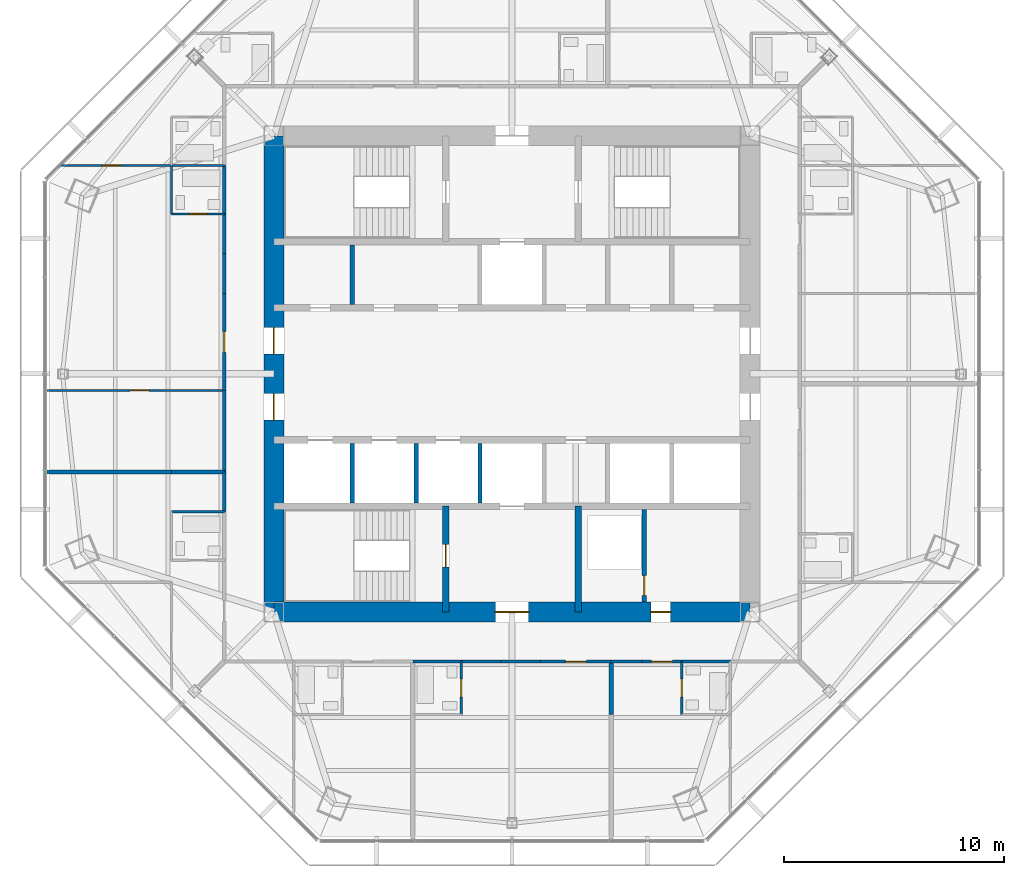
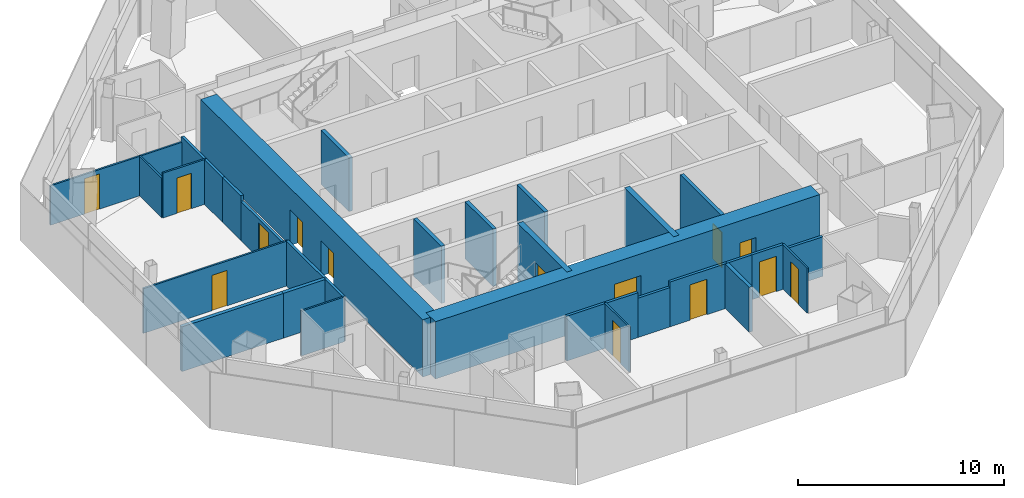
# One storey, part 9 of 14: 33 walls, 14 doors, 14 openings.
"""IFC4 building model written with IfcOpenShell, lengths in metres."""

from ifc_helpers import new_model, si_unit, direction, frame, frame_2d, origin, place, context, subcontext, project, spatial, rectangle, extrude, material, layer, layer_set, type_object, element, fill, save


model = new_model("IFC4")

# Units and contexts
model_context = context("Model", 3, precision=1e-05, world=origin(), true_north=direction((0.0, 1.0)))
body_context = subcontext(model_context, "Body", "Model", "MODEL_VIEW")
ifc_project = project(units=[si_unit("LENGTHUNIT", "METRE"), si_unit("AREAUNIT", "SQUARE_METRE"), si_unit("VOLUMEUNIT", "CUBIC_METRE"), si_unit("PLANEANGLEUNIT", "RADIAN"), si_unit("MASSUNIT", "GRAM", prefix="KILO")], contexts=[model_context])

# Site, building, storey
site_placement = place(None, origin())
site = spatial("IfcSite", under=ifc_project, at=site_placement, CompositionType="ELEMENT")
building_placement = place(site_placement, origin())
building = spatial("IfcBuilding", under=site, at=building_placement, Name="Mashrafa Tower", CompositionType="ELEMENT")
storey_placement = place(building_placement, frame((0.0, 0.0, 241.39990234375)))
storey = spatial("IfcBuildingStorey", under=building, at=storey_placement, Name="L57", CompositionType="ELEMENT", Elevation=241.39990234375)

# Walls
ifc_material_1 = material(Name="Gypsum board on steel studs", Category="steel")
ifc_layer_1 = layer(ifc_material_1, 0.199951171875)
ifc_layer_set_1 = layer_set([ifc_layer_1], Name="Acoustic partition 200 1 hr")
wall_type_1 = type_object("IfcWallType", Name="Acoustic partition 200 1 hr", PredefinedType="PARTITIONING", material=ifc_layer_set_1)
wall_1_placement = place(storey_placement, frame((-15.450927734375, -4.449951171875, 0.0), z_axis=(0.0, 0.0, 1.0), x_axis=(1.0, 0.0, 0.0)))
element("IfcWall", 1, at=wall_1_placement, inside=storey, type_object=wall_type_1, Name="Acoustic wall L57-078", PredefinedType="PARTITIONING", context=body_context, shape_type="SweptSolid", body=[
    extrude(rectangle(XDim=2.40087890625, YDim=0.199951171875, at=frame_2d((1.200439453125, 0.0))), origin(), (0.0, 0.0, 1.0), 2.661865234375),
])
wall_2_placement = place(storey_placement, frame((-21.16796875, -4.449951171875, 0.0), z_axis=(0.0, 0.0, 1.0), x_axis=(1.0, 0.0, 0.0)))
element("IfcWall", 2, at=wall_2_placement, inside=storey, type_object=wall_type_1, Name="Acoustic wall L57-079", PredefinedType="PARTITIONING", context=body_context, shape_type="SweptSolid", body=[
    extrude(rectangle(XDim=5.718994140625, YDim=0.199951171875, at=frame_2d((2.859375, 0.0))), origin(), (0.0, 0.0, 1.0), 2.661865234375),
])
wall_3_placement = place(storey_placement, frame((4.5, -15.450927734375, 0.0), z_axis=(0.0, 0.0, 1.0), x_axis=(0.0, 1.0, 0.0)))
element("IfcWall", 3, at=wall_3_placement, inside=storey, type_object=wall_type_1, Name="Acoustic wall L57-094", PredefinedType="PARTITIONING", context=body_context, shape_type="SweptSolid", body=[
    extrude(rectangle(XDim=2.40087890625, YDim=0.199951171875, at=frame_2d((1.200439453125, 0.0))), origin(), (0.0, 0.0, 1.0), 2.661865234375),
])

# Wall, opening, door
ifc_material_2 = material(Name="Concrete masonry unit", Category="masonry")
ifc_layer_2 = layer(ifc_material_2, 0.199951171875)
ifc_layer_set_2 = layer_set([ifc_layer_2], Name="Blockwork wall 200 2 hr")
wall_type_2 = type_object("IfcWallType", Name="Blockwork wall 200 2 hr", PredefinedType="PARTITIONING", material=ifc_layer_set_2)
wall_4_placement = place(storey_placement, frame((6.0, -10.35009765625, 0.0), z_axis=(0.0, 0.0, 1.0), x_axis=(0.0, 1.0, 0.0)))
wall_4 = element("IfcWall", 4, at=wall_4_placement, inside=storey, type_object=wall_type_2, Name="Riser enclosure wall L57", PredefinedType="PARTITIONING", context=body_context, shape_type="SweptSolid", body=[
    extrude(rectangle(XDim=4.2001953125, YDim=0.199951171875, at=frame_2d((2.10009765625, 0.0))), origin(), (0.0, 0.0, 1.0), 3.2001953125),
])
opening_1_placement = place(wall_4_placement, frame((0.300048828125, 0.0, 0.0)))
opening_1 = element("IfcOpeningElement", 5, at=opening_1_placement, cuts=wall_4, Name="Opening 57.041", PredefinedType="OPENING", context=body_context, shape_type="SweptSolid", body=[
    extrude(rectangle(XDim=0.89990234375, YDim=2.10009765625, at=frame_2d((0.449951171875, 1.050048828125))), frame((0.0, 0.10986328125, 0.0), z_axis=(0.0, -1.0, 0.0), x_axis=(1.0, 0.0, 0.0)), (0.0, 0.0, 1.0), 0.219970703125),
])
ifc_material_3 = material(Name="Steel door", Category="steel")
door_type_1 = type_object("IfcDoorType", Name="Service door 900 x 2100 90 min", OperationType="USERDEFINED", PredefinedType="DOOR", material=ifc_material_3)
door_1_placement = place(opening_1_placement, origin())
door_1 = element("IfcDoor", 6, at=door_1_placement, inside=storey, type_object=door_type_1, Name="Riser door L57", OperationType="SINGLE_SWING_LEFT", OverallHeight=2.10009765625, OverallWidth=0.89990234375, PredefinedType="DOOR", context=body_context, shape_type="SweptSolid", body=[
    extrude(rectangle(XDim=0.89990234375, YDim=2.10009765625, at=frame_2d((0.449951171875, 1.050048828125))), frame((0.0, 0.02490234375, 0.0), z_axis=(0.0, -1.0, 0.0), x_axis=(1.0, 0.0, 0.0)), (0.0, 0.0, 1.0), 0.050048828125),
])
fill(opening_1, door_1)

ifc_material_4 = material(Name="Concrete C50/60", Category="concrete")
ifc_layer_3 = layer(ifc_material_4, 0.300048828125)
ifc_layer_set_3 = layer_set([ifc_layer_3], Name="Core wall 300 C50/60")
wall_type_3 = type_object("IfcWallType", Name="Core wall 300 C50/60", PredefinedType="SOLIDWALL", material=ifc_layer_set_3)
wall_5_placement = place(storey_placement, frame((-3.0, -6.0, 0.0), z_axis=(0.0, 0.0, 1.0), x_axis=(0.0, -1.0, 0.0)))
wall_5 = element("IfcWall", 7, at=wall_5_placement, inside=storey, type_object=wall_type_3, Name="Core wall CX-SW L57", PredefinedType="SOLIDWALL", context=body_context, shape_type="SweptSolid", body=[
    extrude(rectangle(XDim=4.800048828125, YDim=0.300048828125, at=frame_2d((2.39990234375, 0.0))), origin(), (0.0, 0.0, 1.0), 3.400146484375),
])
opening_2_placement = place(wall_5_placement, frame((1.75, 0.0, 0.0)))
opening_2 = element("IfcOpeningElement", 8, at=opening_2_placement, cuts=wall_5, Name="Opening 57.039", PredefinedType="OPENING", context=body_context, shape_type="SweptSolid", body=[
    extrude(rectangle(XDim=1.0, YDim=2.10009765625, at=frame_2d((0.5, 1.050048828125))), frame((0.0, 0.159912109375, 0.0), z_axis=(0.0, -1.0, 0.0), x_axis=(1.0, 0.0, 0.0)), (0.0, 0.0, 1.0), 0.320068359375),
])
ifc_material_5 = material(Name="Steel door", Category="steel")
door_type_2 = type_object("IfcDoorType", Name="Stair door 1000 x 2100 90 min", OperationType="USERDEFINED", PredefinedType="DOOR", material=ifc_material_5)
door_2_placement = place(opening_2_placement, frame((1.0, 0.0, 0.0), z_axis=(0.0, 0.0, 1.0), x_axis=(-1.0, 0.0, 0.0)))
door_2 = element("IfcDoor", 9, at=door_2_placement, inside=storey, type_object=door_type_2, Name="Stair S3 door L57", OperationType="SINGLE_SWING_RIGHT", OverallHeight=2.10009765625, OverallWidth=1.0, PredefinedType="DOOR", context=body_context, shape_type="SweptSolid", body=[
    extrude(rectangle(XDim=1.0, YDim=2.10009765625, at=frame_2d((0.5, 1.050048828125))), frame((0.0, 0.02490234375, 0.0), z_axis=(0.0, -1.0, 0.0), x_axis=(1.0, 0.0, 0.0)), (0.0, 0.0, 1.0), 0.050048828125),
])
fill(opening_2, door_2)

# Wall
wall_6_placement = place(storey_placement, frame((3.0, -6.0, 0.0), z_axis=(0.0, 0.0, 1.0), x_axis=(0.0, -1.0, 0.0)))
element("IfcWall", 10, at=wall_6_placement, inside=storey, type_object=wall_type_3, Name="Core wall CX-SE L57", PredefinedType="SOLIDWALL", context=body_context, shape_type="SweptSolid", body=[
    extrude(rectangle(XDim=4.800048828125, YDim=0.300048828125, at=frame_2d((2.39990234375, 0.0))), origin(), (0.0, 0.0, 1.0), 3.400146484375),
])

# Wall, openings, doors
ifc_material_6 = material(Name="Concrete C50/60", Category="concrete")
ifc_layer_4 = layer(ifc_material_6, 0.89990234375)
ifc_layer_set_4 = layer_set([ifc_layer_4], Name="Core wall 900 C50/60")
wall_type_4 = type_object("IfcWallType", Name="Core wall 900 C50/60", PredefinedType="SOLIDWALL", material=ifc_layer_set_4)
wall_7_placement = place(storey_placement, frame((-10.800048828125, -10.800048828125, 0.0), z_axis=(0.0, 0.0, 1.0), x_axis=(1.0, 0.0, 0.0)))
wall_7 = element("IfcWall", 11, at=wall_7_placement, inside=storey, type_object=wall_type_4, Name="Core wall CW-S L57", PredefinedType="SOLIDWALL", context=body_context, shape_type="SweptSolid", body=[
    extrude(rectangle(XDim=21.60009765625, YDim=0.89990234375, at=frame_2d((10.800048828125, 0.0))), origin(), (0.0, 0.0, 1.0), 3.400146484375),
])
opening_3_placement = place(wall_7_placement, frame((10.050048828125, 0.0, 0.0)))
opening_3 = element("IfcOpeningElement", 12, at=opening_3_placement, cuts=wall_7, Name="Opening 57.036", PredefinedType="OPENING", context=body_context, shape_type="SweptSolid", body=[
    extrude(rectangle(XDim=1.5, YDim=2.10009765625, at=frame_2d((0.75, 1.050048828125))), frame((0.0, 0.4599609375, 0.0), z_axis=(0.0, -1.0, 0.0), x_axis=(1.0, 0.0, 0.0)), (0.0, 0.0, 1.0), 0.919921875),
])
opening_4_placement = place(wall_7_placement, frame((17.10009765625, 0.0, 0.0)))
opening_4 = element("IfcOpeningElement", 13, at=opening_4_placement, cuts=wall_7, Name="Opening 57.040", PredefinedType="OPENING", context=body_context, shape_type="SweptSolid", body=[
    extrude(rectangle(XDim=0.89990234375, YDim=2.10009765625, at=frame_2d((0.449951171875, 1.050048828125))), frame((0.0, 0.4599609375, 0.0), z_axis=(0.0, -1.0, 0.0), x_axis=(1.0, 0.0, 0.0)), (0.0, 0.0, 1.0), 0.919921875),
])
ifc_material_7 = material(Name="Steel door", Category="steel")
door_type_3 = type_object("IfcDoorType", Name="Lobby door pair 1500 x 2100 90 min", OperationType="DOUBLE_DOOR_SINGLE_SWING", PredefinedType="DOOR", material=ifc_material_7)
door_3_placement = place(opening_3_placement, origin())
door_3 = element("IfcDoor", 14, at=door_3_placement, inside=storey, type_object=door_type_3, Name="Fire-fighting lobby F2 door L57", OperationType="DOUBLE_DOOR_SINGLE_SWING", OverallHeight=2.10009765625, OverallWidth=1.5, PredefinedType="DOOR", context=body_context, shape_type="SweptSolid", body=[
    extrude(rectangle(XDim=1.5, YDim=2.10009765625, at=frame_2d((0.75, 1.050048828125))), frame((0.0, 0.02490234375, 0.0), z_axis=(0.0, -1.0, 0.0), x_axis=(1.0, 0.0, 0.0)), (0.0, 0.0, 1.0), 0.050048828125),
])
fill(opening_3, door_3)
door_4_placement = place(opening_4_placement, origin())
door_4 = element("IfcDoor", 15, at=door_4_placement, inside=storey, type_object=door_type_1, Name="Electrical Room L57 door", OperationType="SINGLE_SWING_LEFT", OverallHeight=2.10009765625, OverallWidth=0.89990234375, PredefinedType="DOOR", context=body_context, shape_type="SweptSolid", body=[
    extrude(rectangle(XDim=0.89990234375, YDim=2.10009765625, at=frame_2d((0.449951171875, 1.050048828125))), frame((0.0, 0.02490234375, 0.0), z_axis=(0.0, -1.0, 0.0), x_axis=(1.0, 0.0, 0.0)), (0.0, 0.0, 1.0), 0.050048828125),
])
fill(opening_4, door_4)

wall_8_placement = place(storey_placement, frame((-10.800048828125, 10.800048828125, 0.0), z_axis=(0.0, 0.0, 1.0), x_axis=(0.0, -1.0, 0.0)))
wall_8 = element("IfcWall", 16, at=wall_8_placement, inside=storey, type_object=wall_type_4, Name="Core wall CW-W L57", PredefinedType="SOLIDWALL", context=body_context, shape_type="SweptSolid", body=[
    extrude(rectangle(XDim=21.60009765625, YDim=0.89990234375, at=frame_2d((10.800048828125, 0.0))), origin(), (0.0, 0.0, 1.0), 3.400146484375),
])
opening_5_placement = place(wall_8_placement, frame((8.699951171875, 0.0, 0.0)))
opening_5 = element("IfcOpeningElement", 17, at=opening_5_placement, cuts=wall_8, Name="Opening 57.032", PredefinedType="OPENING", context=body_context, shape_type="SweptSolid", body=[
    extrude(rectangle(XDim=1.199951171875, YDim=2.10009765625, at=frame_2d((0.60009765625, 1.050048828125))), frame((0.0, 0.4599609375, 0.0), z_axis=(0.0, -1.0, 0.0), x_axis=(1.0, 0.0, 0.0)), (0.0, 0.0, 1.0), 0.919921875),
])
opening_6_placement = place(wall_8_placement, frame((11.699951171875, 0.0, 0.0)))
opening_6 = element("IfcOpeningElement", 18, at=opening_6_placement, cuts=wall_8, Name="Opening 57.034", PredefinedType="OPENING", context=body_context, shape_type="SweptSolid", body=[
    extrude(rectangle(XDim=1.199951171875, YDim=2.10009765625, at=frame_2d((0.60009765625, 1.050048828125))), frame((0.0, 0.4599609375, 0.0), z_axis=(0.0, -1.0, 0.0), x_axis=(1.0, 0.0, 0.0)), (0.0, 0.0, 1.0), 0.919921875),
])
ifc_material_8 = material(Name="Steel door", Category="steel")
door_type_4 = type_object("IfcDoorType", Name="Lift hall door 1200 x 2100 90 min", OperationType="USERDEFINED", PredefinedType="DOOR", material=ifc_material_8)
door_5_placement = place(opening_5_placement, frame((1.199951171875, 0.0, 0.0), z_axis=(0.0, 0.0, 1.0), x_axis=(-1.0, 0.0, 0.0)))
door_5 = element("IfcDoor", 19, at=door_5_placement, inside=storey, type_object=door_type_4, Name="Lift hall door west L57", OperationType="SINGLE_SWING_RIGHT", OverallHeight=2.10009765625, OverallWidth=1.199951171875, PredefinedType="DOOR", context=body_context, shape_type="SweptSolid", body=[
    extrude(rectangle(XDim=1.199951171875, YDim=2.10009765625, at=frame_2d((0.60009765625, 1.050048828125))), frame((0.0, 0.02490234375, 0.0), z_axis=(0.0, -1.0, 0.0), x_axis=(1.0, 0.0, 0.0)), (0.0, 0.0, 1.0), 0.050048828125),
])
fill(opening_5, door_5)
door_6_placement = place(opening_6_placement, frame((1.199951171875, 0.0, 0.0), z_axis=(0.0, 0.0, 1.0), x_axis=(-1.0, 0.0, 0.0)))
door_6 = element("IfcDoor", 20, at=door_6_placement, inside=storey, type_object=door_type_4, Name="Lift hall door west L57", OperationType="SINGLE_SWING_LEFT", OverallHeight=2.10009765625, OverallWidth=1.199951171875, PredefinedType="DOOR", context=body_context, shape_type="SweptSolid", body=[
    extrude(rectangle(XDim=1.199951171875, YDim=2.10009765625, at=frame_2d((0.60009765625, 1.050048828125))), frame((0.0, 0.02490234375, 0.0), z_axis=(0.0, -1.0, 0.0), x_axis=(1.0, 0.0, 0.0)), (0.0, 0.0, 1.0), 0.050048828125),
])
fill(opening_6, door_6)

# Walls
ifc_material_9 = material(Name="Gypsum board on steel studs", Category="steel")
ifc_layer_5 = layer(ifc_material_9, 0.14990234375)
ifc_layer_set_5 = layer_set([ifc_layer_5], Name="Corridor partition 150 1 hr")
wall_type_5 = type_object("IfcWallType", Name="Corridor partition 150 1 hr", PredefinedType="PARTITIONING", material=ifc_layer_set_5)
wall_9_placement = place(storey_placement, frame((-13.050048828125, 9.450927734375, 0.0), z_axis=(0.0, 0.0, 1.0), x_axis=(0.0, -1.0, 0.0)))
element("IfcWall", 21, at=wall_9_placement, inside=storey, type_object=wall_type_5, Name="Corridor wall L57-026", PredefinedType="PARTITIONING", context=body_context, shape_type="SweptSolid", body=[
    extrude(rectangle(XDim=2.201904296875, YDim=0.14990234375, at=frame_2d((1.10107421875, 0.0))), origin(), (0.0, 0.0, 1.0), 2.661865234375),
])
wall_10_placement = place(storey_placement, frame((-13.050048828125, 5.450927734375, 0.0), z_axis=(0.0, 0.0, 1.0), x_axis=(0.0, -1.0, 0.0)))
element("IfcWall", 22, at=wall_10_placement, inside=storey, type_object=wall_type_5, Name="Corridor wall L57-027", PredefinedType="PARTITIONING", context=body_context, shape_type="SweptSolid", body=[
    extrude(rectangle(XDim=1.802001953125, YDim=0.14990234375, at=frame_2d((0.90087890625, 0.0))), origin(), (0.0, 0.0, 1.0), 2.661865234375),
])
wall_11_placement = place(storey_placement, frame((-13.050048828125, -0.7490234375, 0.0), z_axis=(0.0, 0.0, 1.0), x_axis=(0.0, -1.0, 0.0)))
element("IfcWall", 23, at=wall_11_placement, inside=storey, type_object=wall_type_5, Name="Corridor wall L57-028", PredefinedType="PARTITIONING", context=body_context, shape_type="SweptSolid", body=[
    extrude(rectangle(XDim=3.701904296875, YDim=0.14990234375, at=frame_2d((1.85107421875, 0.0))), origin(), (0.0, 0.0, 1.0), 2.661865234375),
])

# Wall, opening, door
wall_12_placement = place(storey_placement, frame((-13.050048828125, 3.65087890625, 0.0), z_axis=(0.0, 0.0, 1.0), x_axis=(0.0, -1.0, 0.0)))
wall_12 = element("IfcWall", 24, at=wall_12_placement, inside=storey, type_object=wall_type_5, Name="Corridor wall L57-029", PredefinedType="PARTITIONING", context=body_context, shape_type="SweptSolid", body=[
    extrude(rectangle(XDim=4.40185546875, YDim=0.14990234375, at=frame_2d((2.200927734375, 0.0))), origin(), (0.0, 0.0, 1.0), 2.33154296875),
])
opening_7_placement = place(wall_12_placement, frame((1.72607421875, 0.0, 0.0)))
opening_7 = element("IfcOpeningElement", 25, at=opening_7_placement, cuts=wall_12, Name="Opening 57.019", PredefinedType="OPENING", context=body_context, shape_type="SweptSolid", body=[
    extrude(rectangle(XDim=0.949951171875, YDim=2.10009765625, at=frame_2d((0.47509765625, 1.050048828125))), frame((0.0, 0.0849609375, 0.0), z_axis=(0.0, -1.0, 0.0), x_axis=(1.0, 0.0, 0.0)), (0.0, 0.0, 1.0), 0.169921875),
])
ifc_material_10 = material(Name="Steel door", Category="steel")
door_type_5 = type_object("IfcDoorType", Name="Residence entrance door 950 x 2100 20 min", OperationType="USERDEFINED", PredefinedType="DOOR", material=ifc_material_10)
door_7_placement = place(opening_7_placement, frame((0.949951171875, 0.0, 0.0), z_axis=(0.0, 0.0, 1.0), x_axis=(-1.0, 0.0, 0.0)))
door_7 = element("IfcDoor", 26, at=door_7_placement, inside=storey, type_object=door_type_5, Name="Apartment 5706 Living Room door", OperationType="SINGLE_SWING_LEFT", OverallHeight=2.10009765625, OverallWidth=0.949951171875, PredefinedType="DOOR", context=body_context, shape_type="SweptSolid", body=[
    extrude(rectangle(XDim=0.949951171875, YDim=2.10009765625, at=frame_2d((0.47509765625, 1.050048828125))), frame((0.0, 0.02490234375, 0.0), z_axis=(0.0, -1.0, 0.0), x_axis=(1.0, 0.0, 0.0)), (0.0, 0.0, 1.0), 0.050048828125),
])
fill(opening_7, door_7)

# Walls
for number, where, z_axis, x_axis, name in (
    (27, (-13.050048828125, 7.2509765625, 0.0), (0.0, 0.0, 1.0), (0.0, -1.0, 0.0), "Corridor wall L57-030"),
    (28, (-13.050048828125, -4.448974609375, 0.0), (0.0, 0.0, 1.0), (0.0, -1.0, 0.0), "Corridor wall L57-032"),
):
    element("IfcWall", number, at=place(storey_placement, frame(where, z_axis=z_axis, x_axis=x_axis)), inside=storey, type_object=wall_type_5, Name=name, PredefinedType="PARTITIONING", context=body_context, shape_type="SweptSolid", body=[
        extrude(rectangle(XDim=1.802001953125, YDim=0.14990234375, at=frame_2d((0.90087890625, 0.0))), origin(), (0.0, 0.0, 1.0), 2.661865234375),
    ])
wall_13_placement = place(storey_placement, frame((-4.5009765625, -13.050048828125, 0.0), z_axis=(0.0, 0.0, 1.0), x_axis=(1.0, 0.0, 0.0)))
element("IfcWall", 29, at=wall_13_placement, inside=storey, type_object=wall_type_5, Name="Corridor wall L57-038", PredefinedType="PARTITIONING", context=body_context, shape_type="SweptSolid", body=[
    extrude(rectangle(XDim=2.201904296875, YDim=0.14990234375, at=frame_2d((1.10107421875, 0.0))), origin(), (0.0, 0.0, 1.0), 2.661865234375),
])
wall_14_placement = place(storey_placement, frame((-0.5009765625, -13.050048828125, 0.0), z_axis=(0.0, 0.0, 1.0), x_axis=(1.0, 0.0, 0.0)))
element("IfcWall", 30, at=wall_14_placement, inside=storey, type_object=wall_type_5, Name="Corridor wall L57-039", PredefinedType="PARTITIONING", context=body_context, shape_type="SweptSolid", body=[
    extrude(rectangle(XDim=1.802001953125, YDim=0.14990234375, at=frame_2d((0.90087890625, 0.0))), origin(), (0.0, 0.0, 1.0), 2.33154296875),
])
wall_15_placement = place(storey_placement, frame((-2.301025390625, -13.050048828125, 0.0), z_axis=(0.0, 0.0, 1.0), x_axis=(1.0, 0.0, 0.0)))
element("IfcWall", 31, at=wall_15_placement, inside=storey, type_object=wall_type_5, Name="Corridor wall L57-040", PredefinedType="PARTITIONING", context=body_context, shape_type="SweptSolid", body=[
    extrude(rectangle(XDim=1.802001953125, YDim=0.14990234375, at=frame_2d((0.90087890625, 0.0))), origin(), (0.0, 0.0, 1.0), 2.661865234375),
])

# Wall, opening, door
wall_16_placement = place(storey_placement, frame((1.299072265625, -13.050048828125, 0.0), z_axis=(0.0, 0.0, 1.0), x_axis=(1.0, 0.0, 0.0)))
wall_16 = element("IfcWall", 32, at=wall_16_placement, inside=storey, type_object=wall_type_5, Name="Corridor wall L57-041", PredefinedType="PARTITIONING", context=body_context, shape_type="SweptSolid", body=[
    extrude(rectangle(XDim=3.201904296875, YDim=0.14990234375, at=frame_2d((1.60107421875, 0.0))), origin(), (0.0, 0.0, 1.0), 2.661865234375),
])
opening_8_placement = place(wall_16_placement, frame((1.1259765625, 0.0, 0.0)))
opening_8 = element("IfcOpeningElement", 33, at=opening_8_placement, cuts=wall_16, Name="Opening 57.027", PredefinedType="OPENING", context=body_context, shape_type="SweptSolid", body=[
    extrude(rectangle(XDim=0.949951171875, YDim=2.10009765625, at=frame_2d((0.47509765625, 1.050048828125))), frame((0.0, 0.0849609375, 0.0), z_axis=(0.0, -1.0, 0.0), x_axis=(1.0, 0.0, 0.0)), (0.0, 0.0, 1.0), 0.169921875),
])
door_8_placement = place(opening_8_placement, frame((0.949951171875, 0.0, 0.0), z_axis=(0.0, 0.0, 1.0), x_axis=(-1.0, 0.0, 0.0)))
door_8 = element("IfcDoor", 34, at=door_8_placement, inside=storey, type_object=door_type_5, Name="Apartment 5709 Studio Living Room door", OperationType="SINGLE_SWING_LEFT", OverallHeight=2.10009765625, OverallWidth=0.949951171875, PredefinedType="DOOR", context=body_context, shape_type="SweptSolid", body=[
    extrude(rectangle(XDim=0.949951171875, YDim=2.10009765625, at=frame_2d((0.47509765625, 1.050048828125))), frame((0.0, 0.02490234375, 0.0), z_axis=(0.0, -1.0, 0.0), x_axis=(1.0, 0.0, 0.0)), (0.0, 0.0, 1.0), 0.050048828125),
])
fill(opening_8, door_8)

# Walls
wall_17_placement = place(storey_placement, frame((7.698974609375, -13.050048828125, 0.0), z_axis=(0.0, 0.0, 1.0), x_axis=(1.0, 0.0, 0.0)))
element("IfcWall", 35, at=wall_17_placement, inside=storey, type_object=wall_type_5, Name="Corridor wall L57-043", PredefinedType="PARTITIONING", context=body_context, shape_type="SweptSolid", body=[
    extrude(rectangle(XDim=2.201904296875, YDim=0.14990234375, at=frame_2d((1.10107421875, 0.0))), origin(), (0.0, 0.0, 1.0), 2.349365234375),
])
wall_18_placement = place(storey_placement, frame((4.4990234375, -13.050048828125, 0.0), z_axis=(0.0, 0.0, 1.0), x_axis=(1.0, 0.0, 0.0)))
element("IfcWall", 36, at=wall_18_placement, inside=storey, type_object=wall_type_5, Name="Corridor wall L57-044", PredefinedType="PARTITIONING", context=body_context, shape_type="SweptSolid", body=[
    extrude(rectangle(XDim=1.40185546875, YDim=0.14990234375, at=frame_2d((0.700927734375, 0.0))), origin(), (0.0, 0.0, 1.0), 2.661865234375),
])

# Wall, opening, door
wall_19_placement = place(storey_placement, frame((5.89892578125, -13.050048828125, 0.0), z_axis=(0.0, 0.0, 1.0), x_axis=(1.0, 0.0, 0.0)))
wall_19 = element("IfcWall", 37, at=wall_19_placement, inside=storey, type_object=wall_type_5, Name="Corridor wall L57-045", PredefinedType="PARTITIONING", context=body_context, shape_type="SweptSolid", body=[
    extrude(rectangle(XDim=1.802001953125, YDim=0.14990234375, at=frame_2d((0.90087890625, 0.0))), origin(), (0.0, 0.0, 1.0), 2.661865234375),
])
opening_9_placement = place(wall_19_placement, frame((0.426025390625, 0.0, 0.0)))
opening_9 = element("IfcOpeningElement", 38, at=opening_9_placement, cuts=wall_19, Name="Opening 57.030", PredefinedType="OPENING", context=body_context, shape_type="SweptSolid", body=[
    extrude(rectangle(XDim=0.949951171875, YDim=2.10009765625, at=frame_2d((0.47509765625, 1.050048828125))), frame((0.0, 0.0849609375, 0.0), z_axis=(0.0, -1.0, 0.0), x_axis=(1.0, 0.0, 0.0)), (0.0, 0.0, 1.0), 0.169921875),
])
door_9_placement = place(opening_9_placement, frame((0.949951171875, 0.0, 0.0), z_axis=(0.0, 0.0, 1.0), x_axis=(-1.0, 0.0, 0.0)))
door_9 = element("IfcDoor", 39, at=door_9_placement, inside=storey, type_object=door_type_5, Name="Apartment 5710 Living Room door", OperationType="SINGLE_SWING_RIGHT", OverallHeight=2.10009765625, OverallWidth=0.949951171875, PredefinedType="DOOR", context=body_context, shape_type="SweptSolid", body=[
    extrude(rectangle(XDim=0.949951171875, YDim=2.10009765625, at=frame_2d((0.47509765625, 1.050048828125))), frame((0.0, 0.02490234375, 0.0), z_axis=(0.0, -1.0, 0.0), x_axis=(1.0, 0.0, 0.0)), (0.0, 0.0, 1.0), 0.050048828125),
])
fill(opening_9, door_9)

# Wall
ifc_material_11 = material(Name="Gypsum board on steel studs", Category="steel")
ifc_layer_6 = layer(ifc_material_11, 0.10009765625)
ifc_layer_set_6 = layer_set([ifc_layer_6], Name="Partition 100")
wall_type_6 = type_object("IfcWallType", Name="Partition 100", PredefinedType="PARTITIONING", material=ifc_layer_set_6)
wall_20_placement = place(storey_placement, frame((-15.449951171875, 9.449951171875, 0.0), z_axis=(0.0, 0.0, 1.0), x_axis=(1.0, 0.0, 0.0)))
element("IfcWall", 40, at=wall_20_placement, inside=storey, type_object=wall_type_6, Name="Partition wall L57-073", PredefinedType="PARTITIONING", context=body_context, shape_type="SweptSolid", body=[
    extrude(rectangle(XDim=2.39990234375, YDim=0.10009765625, at=frame_2d((1.199951171875, 0.0))), origin(), (0.0, 0.0, 1.0), 2.349365234375),
])

# Wall, opening, door
wall_21_placement = place(storey_placement, frame((-20.489501953125, 9.449951171875, 0.0), z_axis=(0.0, 0.0, 1.0), x_axis=(1.0, 0.0, 0.0)))
wall_21 = element("IfcWall", 41, at=wall_21_placement, inside=storey, type_object=wall_type_6, Name="Partition wall L57-074", PredefinedType="PARTITIONING", context=body_context, shape_type="SweptSolid", body=[
    extrude(rectangle(XDim=5.03955078125, YDim=0.10009765625, at=frame_2d((2.519775390625, 0.0))), origin(), (0.0, 0.0, 1.0), 2.349365234375),
])
opening_10_placement = place(wall_21_placement, frame((1.89794921875, 0.0, 0.0)))
opening_10 = element("IfcOpeningElement", 42, at=opening_10_placement, cuts=wall_21, Name="Opening 57.016", PredefinedType="OPENING", context=body_context, shape_type="SweptSolid", body=[
    extrude(rectangle(XDim=0.85009765625, YDim=2.10009765625, at=frame_2d((0.425048828125, 1.050048828125))), frame((0.0, 0.06005859375, 0.0), z_axis=(0.0, -1.0, 0.0), x_axis=(1.0, 0.0, 0.0)), (0.0, 0.0, 1.0), 0.1201171875),
])
ifc_material_12 = material(Name="Timber door", Category="wood")
door_type_6 = type_object("IfcDoorType", Name="Bedroom door 850 x 2100", OperationType="USERDEFINED", PredefinedType="DOOR", material=ifc_material_12)
door_10_placement = place(opening_10_placement, origin())
door_10 = element("IfcDoor", 43, at=door_10_placement, inside=storey, type_object=door_type_6, Name="Apartment 5706 Bedroom 1 door", OperationType="SINGLE_SWING_LEFT", OverallHeight=2.10009765625, OverallWidth=0.85009765625, PredefinedType="DOOR", context=body_context, shape_type="SweptSolid", body=[
    extrude(rectangle(XDim=0.85009765625, YDim=2.10009765625, at=frame_2d((0.425048828125, 1.050048828125))), frame((0.0, 0.02490234375, 0.0), z_axis=(0.0, -1.0, 0.0), x_axis=(1.0, 0.0, 0.0)), (0.0, 0.0, 1.0), 0.050048828125),
])
fill(opening_10, door_10)

# Wall
wall_22_placement = place(storey_placement, frame((-15.449951171875, 9.449951171875, 0.0), z_axis=(0.0, 0.0, 1.0), x_axis=(0.0, -1.0, 0.0)))
element("IfcWall", 44, at=wall_22_placement, inside=storey, type_object=wall_type_6, Name="Partition wall L57-075", PredefinedType="PARTITIONING", context=body_context, shape_type="SweptSolid", body=[
    extrude(rectangle(XDim=2.199951171875, YDim=0.10009765625, at=frame_2d((1.10009765625, 0.0))), origin(), (0.0, 0.0, 1.0), 2.349365234375),
])

# Wall, opening, door
wall_23_placement = place(storey_placement, frame((-15.449951171875, 7.25, 0.0), z_axis=(0.0, 0.0, 1.0), x_axis=(1.0, 0.0, 0.0)))
wall_23 = element("IfcWall", 45, at=wall_23_placement, inside=storey, type_object=wall_type_6, Name="Partition wall L57-076", PredefinedType="PARTITIONING", context=body_context, shape_type="SweptSolid", body=[
    extrude(rectangle(XDim=2.39990234375, YDim=0.10009765625, at=frame_2d((1.199951171875, 0.0))), origin(), (0.0, 0.0, 1.0), 2.661865234375),
])
opening_11_placement = place(wall_23_placement, frame((0.800048828125, 0.0, 0.0)))
opening_11 = element("IfcOpeningElement", 46, at=opening_11_placement, cuts=wall_23, Name="Opening 57.017", PredefinedType="OPENING", context=body_context, shape_type="SweptSolid", body=[
    extrude(rectangle(XDim=0.800048828125, YDim=2.10009765625, at=frame_2d((0.39990234375, 1.050048828125))), frame((0.0, 0.06005859375, 0.0), z_axis=(0.0, -1.0, 0.0), x_axis=(1.0, 0.0, 0.0)), (0.0, 0.0, 1.0), 0.1201171875),
])
ifc_material_13 = material(Name="Timber door", Category="wood")
door_type_7 = type_object("IfcDoorType", Name="Bathroom door 800 x 2100", OperationType="USERDEFINED", PredefinedType="DOOR", material=ifc_material_13)
door_11_placement = place(opening_11_placement, origin())
door_11 = element("IfcDoor", 47, at=door_11_placement, inside=storey, type_object=door_type_7, Name="Apartment 5706 Bathroom door", OperationType="SINGLE_SWING_RIGHT", OverallHeight=2.10009765625, OverallWidth=0.800048828125, PredefinedType="DOOR", context=body_context, shape_type="SweptSolid", body=[
    extrude(rectangle(XDim=0.800048828125, YDim=2.10009765625, at=frame_2d((0.39990234375, 1.050048828125))), frame((0.0, 0.02490234375, 0.0), z_axis=(0.0, -1.0, 0.0), x_axis=(1.0, 0.0, 0.0)), (0.0, 0.0, 1.0), 0.050048828125),
])
fill(opening_11, door_11)

wall_24_placement = place(storey_placement, frame((-13.050048828125, -0.75, 0.0), z_axis=(0.0, 0.0, 1.0), x_axis=(-1.0, 0.0, 0.0)))
wall_24 = element("IfcWall", 48, at=wall_24_placement, inside=storey, type_object=wall_type_6, Name="Partition wall L57-077", PredefinedType="PARTITIONING", context=body_context, shape_type="SweptSolid", body=[
    extrude(rectangle(XDim=8.119873046875, YDim=0.10009765625, at=frame_2d((4.06005859375, 0.0))), origin(), (0.0, 0.0, 1.0), 2.661865234375),
])
opening_12_placement = place(wall_24_placement, frame((3.41796875, 0.0, 0.0)))
opening_12 = element("IfcOpeningElement", 49, at=opening_12_placement, cuts=wall_24, Name="Opening 57.018", PredefinedType="OPENING", context=body_context, shape_type="SweptSolid", body=[
    extrude(rectangle(XDim=0.85009765625, YDim=2.10009765625, at=frame_2d((0.425048828125, 1.050048828125))), frame((0.0, 0.06005859375, 0.0), z_axis=(0.0, -1.0, 0.0), x_axis=(1.0, 0.0, 0.0)), (0.0, 0.0, 1.0), 0.1201171875),
])
door_12_placement = place(opening_12_placement, origin())
door_12 = element("IfcDoor", 50, at=door_12_placement, inside=storey, type_object=door_type_6, Name="Apartment 5706 Bedroom 2 door", OperationType="SINGLE_SWING_LEFT", OverallHeight=2.10009765625, OverallWidth=0.85009765625, PredefinedType="DOOR", context=body_context, shape_type="SweptSolid", body=[
    extrude(rectangle(XDim=0.85009765625, YDim=2.10009765625, at=frame_2d((0.425048828125, 1.050048828125))), frame((0.0, 0.02490234375, 0.0), z_axis=(0.0, -1.0, 0.0), x_axis=(1.0, 0.0, 0.0)), (0.0, 0.0, 1.0), 0.050048828125),
])
fill(opening_12, door_12)

# Wall
wall_25_placement = place(storey_placement, frame((-13.050048828125, -6.25, 0.0), z_axis=(0.0, 0.0, 1.0), x_axis=(-1.0, 0.0, 0.0)))
element("IfcWall", 51, at=wall_25_placement, inside=storey, type_object=wall_type_6, Name="Partition wall L57-082", PredefinedType="PARTITIONING", context=body_context, shape_type="SweptSolid", body=[
    extrude(rectangle(XDim=2.39990234375, YDim=0.10009765625, at=frame_2d((1.199951171875, 0.0))), origin(), (0.0, 0.0, 1.0), 2.661865234375),
])

# Wall, opening, door
wall_26_placement = place(storey_placement, frame((-2.300048828125, -15.449951171875, 0.0), z_axis=(0.0, 0.0, 1.0), x_axis=(0.0, 1.0, 0.0)))
wall_26 = element("IfcWall", 52, at=wall_26_placement, inside=storey, type_object=wall_type_6, Name="Partition wall L57-093", PredefinedType="PARTITIONING", context=body_context, shape_type="SweptSolid", body=[
    extrude(rectangle(XDim=2.39990234375, YDim=0.10009765625, at=frame_2d((1.199951171875, 0.0))), origin(), (0.0, 0.0, 1.0), 2.661865234375),
])
opening_13_placement = place(wall_26_placement, frame((0.800048828125, 0.0, 0.0)))
opening_13 = element("IfcOpeningElement", 53, at=opening_13_placement, cuts=wall_26, Name="Opening 57.026", PredefinedType="OPENING", context=body_context, shape_type="SweptSolid", body=[
    extrude(rectangle(XDim=0.800048828125, YDim=2.10009765625, at=frame_2d((0.39990234375, 1.050048828125))), frame((0.0, 0.06005859375, 0.0), z_axis=(0.0, -1.0, 0.0), x_axis=(1.0, 0.0, 0.0)), (0.0, 0.0, 1.0), 0.1201171875),
])
door_13_placement = place(opening_13_placement, origin())
door_13 = element("IfcDoor", 54, at=door_13_placement, inside=storey, type_object=door_type_7, Name="Apartment 5709 Bathroom door", OperationType="SINGLE_SWING_RIGHT", OverallHeight=2.10009765625, OverallWidth=0.800048828125, PredefinedType="DOOR", context=body_context, shape_type="SweptSolid", body=[
    extrude(rectangle(XDim=0.800048828125, YDim=2.10009765625, at=frame_2d((0.39990234375, 1.050048828125))), frame((0.0, 0.02490234375, 0.0), z_axis=(0.0, -1.0, 0.0), x_axis=(1.0, 0.0, 0.0)), (0.0, 0.0, 1.0), 0.050048828125),
])
fill(opening_13, door_13)

wall_27_placement = place(storey_placement, frame((7.699951171875, -13.050048828125, 0.0), z_axis=(0.0, 0.0, 1.0), x_axis=(0.0, -1.0, 0.0)))
wall_27 = element("IfcWall", 55, at=wall_27_placement, inside=storey, type_object=wall_type_6, Name="Partition wall L57-098", PredefinedType="PARTITIONING", context=body_context, shape_type="SweptSolid", body=[
    extrude(rectangle(XDim=2.39990234375, YDim=0.10009765625, at=frame_2d((1.199951171875, 0.0))), origin(), (0.0, 0.0, 1.0), 2.661865234375),
])
opening_14_placement = place(wall_27_placement, frame((0.800048828125, 0.0, 0.0)))
opening_14 = element("IfcOpeningElement", 56, at=opening_14_placement, cuts=wall_27, Name="Opening 57.029", PredefinedType="OPENING", context=body_context, shape_type="SweptSolid", body=[
    extrude(rectangle(XDim=0.800048828125, YDim=2.10009765625, at=frame_2d((0.39990234375, 1.050048828125))), frame((0.0, 0.06005859375, 0.0), z_axis=(0.0, -1.0, 0.0), x_axis=(1.0, 0.0, 0.0)), (0.0, 0.0, 1.0), 0.1201171875),
])
door_14_placement = place(opening_14_placement, origin())
door_14 = element("IfcDoor", 57, at=door_14_placement, inside=storey, type_object=door_type_7, Name="Apartment 5710 Bathroom door", OperationType="SINGLE_SWING_RIGHT", OverallHeight=2.10009765625, OverallWidth=0.800048828125, PredefinedType="DOOR", context=body_context, shape_type="SweptSolid", body=[
    extrude(rectangle(XDim=0.800048828125, YDim=2.10009765625, at=frame_2d((0.39990234375, 1.050048828125))), frame((0.0, 0.02490234375, 0.0), z_axis=(0.0, -1.0, 0.0), x_axis=(1.0, 0.0, 0.0)), (0.0, 0.0, 1.0), 0.050048828125),
])
fill(opening_14, door_14)

# Walls
ifc_material_14 = material(Name="Gypsum shaft wall on steel studs", Category="steel")
ifc_layer_7 = layer(ifc_material_14, 0.199951171875)
ifc_layer_set_7 = layer_set([ifc_layer_7], Name="Shaft divider wall 200 2 hr")
wall_type_7 = type_object("IfcWallType", Name="Shaft divider wall 200 2 hr", PredefinedType="PARTITIONING", material=ifc_layer_set_7)
wall_28_placement = place(storey_placement, frame((-7.25, 3.14990234375, 0.0), z_axis=(0.0, 0.0, 1.0), x_axis=(0.0, 1.0, 0.0)))
element("IfcWall", 58, at=wall_28_placement, inside=storey, type_object=wall_type_7, Name="Shaft divider wall N1 L57", PredefinedType="PARTITIONING", context=body_context, shape_type="SweptSolid", body=[
    extrude(rectangle(XDim=2.7001953125, YDim=0.199951171875, at=frame_2d((1.35009765625, 0.0))), origin(), (0.0, 0.0, 1.0), 3.2001953125),
])
for number, where, z_axis, x_axis, name in (
    (59, (-7.25, -5.85009765625, 0.0), (0.0, 0.0, 1.0), (0.0, 1.0, 0.0), "Shaft divider wall S1 L57"),
    (60, (-4.35009765625, -5.85009765625, 0.0), (0.0, 0.0, 1.0), (0.0, 1.0, 0.0), "Shaft divider wall S2 L57"),
    (61, (-1.449951171875, -5.85009765625, 0.0), (0.0, 0.0, 1.0), (0.0, 1.0, 0.0), "Shaft divider wall S3 L57"),
):
    element("IfcWall", number, at=place(storey_placement, frame(where, z_axis=z_axis, x_axis=x_axis)), inside=storey, type_object=wall_type_7, Name=name, PredefinedType="PARTITIONING", context=body_context, shape_type="SweptSolid", body=[
        extrude(rectangle(XDim=2.7001953125, YDim=0.199951171875, at=frame_2d((1.35009765625, 0.0))), origin(), (0.0, 0.0, 1.0), 3.400146484375),
    ])

save(model, "model.ifc")
